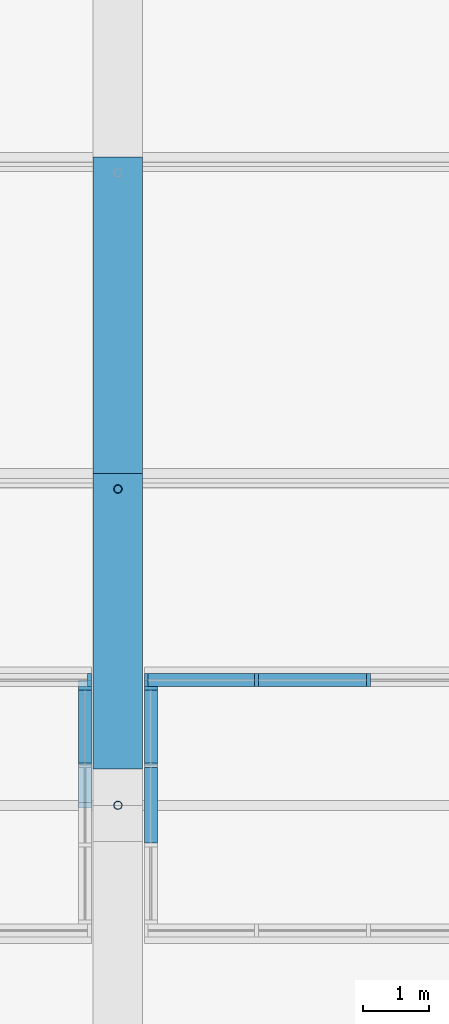
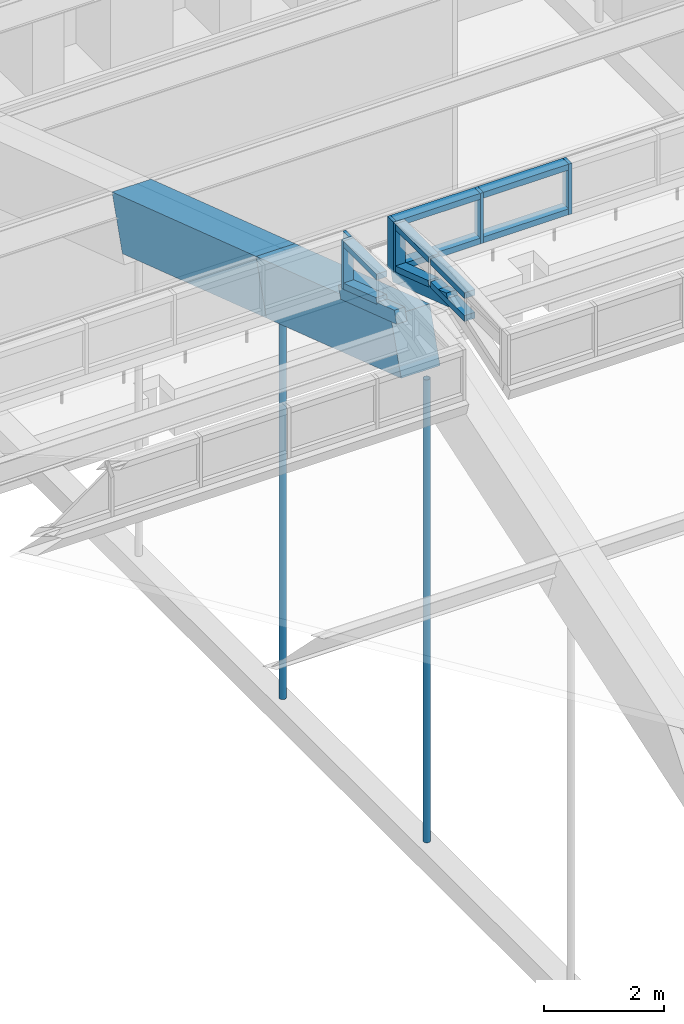
# One storey, part 73 of 149: 20 members, 2 beams, 4 elements without a shape of their own.
"""IFC4 building model written with IfcOpenShell, lengths in metres."""

from ifc_helpers import new_model, si_unit, direction, frame, origin, origin_2d, place, context, subcontext, project, spatial, rectangle, hollow_circle, extrude, material, material_profile, profile_set, type_object, element, aggregate, save


model = new_model("IFC4")

# Units and contexts
model_context = context("Model", 3, precision=1e-05, world=origin(), true_north=direction((0.0, 1.0)))
body_context = subcontext(model_context, "Body", "Model", "MODEL_VIEW")
ifc_project = project(units=[si_unit("LENGTHUNIT", "METRE"), si_unit("AREAUNIT", "SQUARE_METRE"), si_unit("VOLUMEUNIT", "CUBIC_METRE"), si_unit("PLANEANGLEUNIT", "RADIAN"), si_unit("MASSUNIT", "GRAM", prefix="KILO")], contexts=[model_context])

# Site, building, storey
site_placement = place(None, origin())
site = spatial("IfcSite", under=ifc_project, at=site_placement, CompositionType="ELEMENT")
building_placement = place(site_placement, origin())
building = spatial("IfcBuilding", under=site, at=building_placement, Name="Alderwick Market Hall", CompositionType="ELEMENT")
storey_placement = place(building_placement, frame((0.0, 0.0, 9.60009765625)))
storey = spatial("IfcBuildingStorey", under=building, at=storey_placement, Name="L01", CompositionType="ELEMENT", Elevation=9.60009765625)

# Beams
ifc_material_1 = material(Name="Concrete 5000 psi (f'c 35 MPa)", Category="concrete")
ifc_material_profile_1 = material_profile(ifc_material_1, rectangle(XDim=0.75, YDim=1.10009765625, at=origin_2d()), Name="RC 750x1100")
ifc_profile_set_1 = profile_set([ifc_material_profile_1], Name="Concrete 5000 psi (f'c 35 MPa)")
beam_type = type_object("IfcBeamType", Name="R Arch Rib Crown 750x1100", PredefinedType="BEAM", material=ifc_profile_set_1)
beam_1_placement = place(storey_placement, frame((122.39990234375, 79.573974609375, 16.2861328125), z_axis=(0.0, 0.948672979153, -0.316258721025), x_axis=(-1.0, 0.0, 0.0)))
element("IfcBeam", 1, at=beam_1_placement, inside=storey, type_object=beam_type, Name="Arch rib 6 chord 7", PredefinedType="BEAM", context=body_context, shape_type="SweptSolid", body=[
    extrude(rectangle(XDim=0.75, YDim=1.10009765625, at=origin_2d()), origin(), (0.0, 0.0, 1.0), 4.732177734375),
])
beam_2_placement = place(storey_placement, frame((122.39990234375, 84.063232421875, 14.78955078125), z_axis=(0.0, 0.948692948114, -0.316198814353), x_axis=(-1.0, 0.0, 0.0)))
element("IfcBeam", 2, at=beam_2_placement, inside=storey, type_object=beam_type, Name="Arch rib 6 chord 8", PredefinedType="BEAM", context=body_context, shape_type="SweptSolid", body=[
    extrude(rectangle(XDim=0.75, YDim=1.10009765625, at=origin_2d()), origin(), (0.0, 0.0, 1.0), 5.0595703125),
])

# Curtain wall, member
ifc_material_2 = material(Name="Aluminium", Category="aluminium")
curtain_wall_type = type_object("IfcCurtainWallType", Name="R Curtain Wall Frame", PredefinedType="NOTDEFINED", material=ifc_material_2)
curtain_wall_1_placement = place(storey_placement, origin())
curtain_wall_1 = element("IfcCurtainWall", 3, at=curtain_wall_1_placement, inside=storey, type_object=curtain_wall_type, Name="Curtain wall LCW N5", PredefinedType="NOTDEFINED")
ifc_material_profile_2 = material_profile(ifc_material_2, rectangle(XDim=0.199951171875, YDim=0.06005859375, at=origin_2d()), Name="AL 60x200")
ifc_profile_set_2 = profile_set([ifc_material_profile_2], Name="Aluminium")
member_type_1 = type_object("IfcMemberType", Name="R CW Mullion 60x200", PredefinedType="MULLION", material=ifc_profile_set_2)
member_1_placement = place(storey_placement, frame((121.969970703125, 81.10009765625, 16.670166015625), z_axis=(0.0, 0.0, 1.0), x_axis=(0.0, 1.0, 0.0)))
member_1 = element("IfcMember", 4, at=member_1_placement, type_object=member_type_1, Name="LCW N5 mullion 9", PredefinedType="MULLION", context=body_context, shape_type="SweptSolid", body=[
    extrude(rectangle(XDim=0.199951171875, YDim=0.06005859375, at=origin_2d()), origin(), (0.0, 0.0, 1.0), 1.02978515625),
])
aggregate(curtain_wall_1, [member_1])

curtain_wall_2_placement = place(storey_placement, origin())
curtain_wall_2 = element("IfcCurtainWall", 5, at=curtain_wall_2_placement, inside=storey, type_object=curtain_wall_type, Name="Curtain wall LCW E5", PredefinedType="NOTDEFINED")
member_2_placement = place(storey_placement, frame((121.89990234375, 80.969970703125, 16.713623046875), z_axis=(0.0, 0.0, 1.0), x_axis=(1.0, 0.0, 0.0)))
member_2 = element("IfcMember", 6, at=member_2_placement, type_object=member_type_1, Name="LCW E5 mullion 4", PredefinedType="MULLION", context=body_context, shape_type="SweptSolid", body=[
    extrude(rectangle(XDim=0.199951171875, YDim=0.06005859375, at=origin_2d()), origin(), (0.0, 0.0, 1.0), 0.986328125),
])

# Curtain wall, members
curtain_wall_3_placement = place(storey_placement, origin())
curtain_wall_3 = element("IfcCurtainWall", 7, at=curtain_wall_3_placement, inside=storey, type_object=curtain_wall_type, Name="Curtain wall LCW N6", PredefinedType="NOTDEFINED")
member_3_placement = place(storey_placement, frame((122.830078125, 81.10009765625, 16.670166015625), z_axis=(0.0, 0.0, 1.0), x_axis=(0.0, 1.0, 0.0)))
member_3 = element("IfcMember", 8, at=member_3_placement, type_object=member_type_1, Name="LCW N6 mullion 1", PredefinedType="MULLION", context=body_context, shape_type="SweptSolid", body=[
    extrude(rectangle(XDim=0.199951171875, YDim=0.06005859375, at=origin_2d()), origin(), (0.0, 0.0, 1.0), 1.02978515625),
])
member_4_placement = place(storey_placement, frame((124.5, 81.10009765625, 16.670166015625), z_axis=(0.0, 0.0, 1.0), x_axis=(0.0, 1.0, 0.0)))
member_4 = element("IfcMember", 9, at=member_4_placement, type_object=member_type_1, Name="LCW N6 mullion 2", PredefinedType="MULLION", context=body_context, shape_type="SweptSolid", body=[
    extrude(rectangle(XDim=0.199951171875, YDim=0.06005859375, at=origin_2d()), origin(), (0.0, 0.0, 1.0), 1.02978515625),
])
member_5_placement = place(storey_placement, frame((126.199951171875, 81.10009765625, 16.670166015625), z_axis=(0.0, 0.0, 1.0), x_axis=(0.0, 1.0, 0.0)))
member_5 = element("IfcMember", 10, at=member_5_placement, type_object=member_type_1, Name="LCW N6 mullion 3", PredefinedType="MULLION", context=body_context, shape_type="SweptSolid", body=[
    extrude(rectangle(XDim=0.199951171875, YDim=0.06005859375, at=origin_2d()), origin(), (0.0, 0.0, 1.0), 1.02978515625),
])

# Curtain wall, member
curtain_wall_4_placement = place(storey_placement, origin())
curtain_wall_4 = element("IfcCurtainWall", 11, at=curtain_wall_4_placement, inside=storey, type_object=curtain_wall_type, Name="Curtain wall LCW W6", PredefinedType="NOTDEFINED")
member_6_placement = place(storey_placement, frame((122.89990234375, 80.969970703125, 16.713623046875), z_axis=(0.0, 0.0, 1.0), x_axis=(1.0, 0.0, 0.0)))
member_6 = element("IfcMember", 12, at=member_6_placement, type_object=member_type_1, Name="LCW W6 mullion 4", PredefinedType="MULLION", context=body_context, shape_type="SweptSolid", body=[
    extrude(rectangle(XDim=0.199951171875, YDim=0.06005859375, at=origin_2d()), origin(), (0.0, 0.0, 1.0), 0.986328125),
])

# Member
ifc_material_profile_3 = material_profile(ifc_material_2, rectangle(XDim=0.199951171875, YDim=0.1201171875, at=origin_2d()), Name="AL 120x200")
ifc_profile_set_3 = profile_set([ifc_material_profile_3], Name="Aluminium")
member_type_2 = type_object("IfcMemberType", Name="R CW Transom 120x200", PredefinedType="USERDEFINED", material=ifc_profile_set_3)
member_7_placement = place(storey_placement, frame((121.89990234375, 79.830078125, 17.153564453125), z_axis=(0.0, 0.948641554568, -0.316352968923), x_axis=(-1.0, 0.0, 0.0)))
member_7 = element("IfcMember", 13, at=member_7_placement, type_object=member_type_2, Name="LCW E5 sill transom 3", ObjectType="TRANSOM", PredefinedType="USERDEFINED", context=body_context, shape_type="SweptSolid", body=[
    extrude(rectangle(XDim=0.199951171875, YDim=0.1201171875, at=origin_2d()), origin(), (0.0, 0.0, 1.0), 1.169921875),
])

member_8_placement = place(storey_placement, frame((121.89990234375, 79.830078125, 17.639892578125), z_axis=(0.0, 1.0, 0.0), x_axis=(-1.0, 0.0, 0.0)))
member_8 = element("IfcMember", 14, at=member_8_placement, type_object=member_type_2, Name="LCW E5 head transom 3", ObjectType="TRANSOM", PredefinedType="USERDEFINED", context=body_context, shape_type="SweptSolid", body=[
    extrude(rectangle(XDim=0.199951171875, YDim=0.1201171875, at=origin_2d()), origin(), (0.0, 0.0, 1.0), 1.10986328125),
])

member_9_placement = place(storey_placement, frame((122.860107421875, 81.10009765625, 16.730224609375), z_axis=(1.0, 0.0, 0.0), x_axis=(0.0, 1.0, 0.0)))
member_9 = element("IfcMember", 15, at=member_9_placement, type_object=member_type_2, Name="LCW N6 sill transom 1", ObjectType="TRANSOM", PredefinedType="USERDEFINED", context=body_context, shape_type="SweptSolid", body=[
    extrude(rectangle(XDim=0.199951171875, YDim=0.1201171875, at=origin_2d()), origin(), (0.0, 0.0, 1.0), 1.60986328125),
])

member_10_placement = place(storey_placement, frame((122.860107421875, 81.10009765625, 17.639892578125), z_axis=(1.0, 0.0, 0.0), x_axis=(0.0, 1.0, 0.0)))
member_10 = element("IfcMember", 16, at=member_10_placement, type_object=member_type_2, Name="LCW N6 head transom 1", ObjectType="TRANSOM", PredefinedType="USERDEFINED", context=body_context, shape_type="SweptSolid", body=[
    extrude(rectangle(XDim=0.199951171875, YDim=0.1201171875, at=origin_2d()), origin(), (0.0, 0.0, 1.0), 1.60986328125),
])

member_11_placement = place(storey_placement, frame((124.530029296875, 81.10009765625, 16.730224609375), z_axis=(1.0, 0.0, 0.0), x_axis=(0.0, 1.0, 0.0)))
member_11 = element("IfcMember", 17, at=member_11_placement, type_object=member_type_2, Name="LCW N6 sill transom 2", ObjectType="TRANSOM", PredefinedType="USERDEFINED", context=body_context, shape_type="SweptSolid", body=[
    extrude(rectangle(XDim=0.199951171875, YDim=0.1201171875, at=origin_2d()), origin(), (0.0, 0.0, 1.0), 1.639892578125),
])

member_12_placement = place(storey_placement, frame((124.530029296875, 81.10009765625, 17.639892578125), z_axis=(1.0, 0.0, 0.0), x_axis=(0.0, 1.0, 0.0)))
member_12 = element("IfcMember", 18, at=member_12_placement, type_object=member_type_2, Name="LCW N6 head transom 2", ObjectType="TRANSOM", PredefinedType="USERDEFINED", context=body_context, shape_type="SweptSolid", body=[
    extrude(rectangle(XDim=0.199951171875, YDim=0.1201171875, at=origin_2d()), origin(), (0.0, 0.0, 1.0), 1.639892578125),
])

aggregate(curtain_wall_3, [member_3, member_4, member_5, member_9, member_10, member_11, member_12])

member_13_placement = place(storey_placement, frame((122.89990234375, 78.6298828125, 17.173583984375), z_axis=(0.0, 1.0, 0.0), x_axis=(-1.0, 0.0, 0.0)))
member_13 = element("IfcMember", 19, at=member_13_placement, type_object=member_type_2, Name="LCW W6 sill transom 2", ObjectType="TRANSOM", PredefinedType="USERDEFINED", context=body_context, shape_type="SweptSolid", body=[
    extrude(rectangle(XDim=0.199951171875, YDim=0.1201171875, at=origin_2d()), origin(), (0.0, 0.0, 1.0), 1.14013671875),
])

member_14_placement = place(storey_placement, frame((122.89990234375, 78.6298828125, 17.639892578125), z_axis=(0.0, 1.0, 0.0), x_axis=(-1.0, 0.0, 0.0)))
member_14 = element("IfcMember", 20, at=member_14_placement, type_object=member_type_2, Name="LCW W6 head transom 2", ObjectType="TRANSOM", PredefinedType="USERDEFINED", context=body_context, shape_type="SweptSolid", body=[
    extrude(rectangle(XDim=0.199951171875, YDim=0.1201171875, at=origin_2d()), origin(), (0.0, 0.0, 1.0), 1.14013671875),
])

member_15_placement = place(storey_placement, frame((122.89990234375, 79.830078125, 17.153564453125), z_axis=(0.0, 0.948641554568, -0.316352968923), x_axis=(-1.0, 0.0, 0.0)))
member_15 = element("IfcMember", 21, at=member_15_placement, type_object=member_type_2, Name="LCW W6 sill transom 3", ObjectType="TRANSOM", PredefinedType="USERDEFINED", context=body_context, shape_type="SweptSolid", body=[
    extrude(rectangle(XDim=0.199951171875, YDim=0.1201171875, at=origin_2d()), origin(), (0.0, 0.0, 1.0), 1.169921875),
])

member_16_placement = place(storey_placement, frame((122.89990234375, 79.830078125, 17.639892578125), z_axis=(0.0, 1.0, 0.0), x_axis=(-1.0, 0.0, 0.0)))
member_16 = element("IfcMember", 22, at=member_16_placement, type_object=member_type_2, Name="LCW W6 head transom 3", ObjectType="TRANSOM", PredefinedType="USERDEFINED", context=body_context, shape_type="SweptSolid", body=[
    extrude(rectangle(XDim=0.199951171875, YDim=0.1201171875, at=origin_2d()), origin(), (0.0, 0.0, 1.0), 1.10986328125),
])

# Members
ifc_material_3 = material(Name="Steel ASTM A500 Grade C", Category="steel")
ifc_material_profile_4 = material_profile(ifc_material_3, hollow_circle(Radius=0.0634765625, WallThickness=0.005859375, at=origin_2d()), Name="HSS5.000x0.250")
ifc_profile_set_4 = profile_set([ifc_material_profile_4], Name="Steel ASTM A500 Grade C")
member_type_3 = type_object("IfcMemberType", Name="R Hanger HSS5.000x0.250", PredefinedType="POST", material=ifc_profile_set_4)
member_17_placement = place(storey_placement, frame((122.39990234375, 79.199951171875, 6.35302734375), z_axis=(0.0, 0.0, 1.0), x_axis=(1.0, 0.0, 0.0)))
element("IfcMember", 23, at=member_17_placement, inside=storey, type_object=member_type_3, Name="Arch hanger 6.6", PredefinedType="POST", context=body_context, shape_type="SweptSolid", body=[
    extrude(hollow_circle(Radius=0.0634765625, WallThickness=0.005859375, at=origin_2d()), origin(), (0.0, 0.0, 1.0), 9.411376953125),
])
member_18_placement = place(storey_placement, frame((122.39990234375, 84.0, 6.35302734375), z_axis=(0.0, 0.0, 1.0), x_axis=(1.0, 0.0, 0.0)))
element("IfcMember", 24, at=member_18_placement, inside=storey, type_object=member_type_3, Name="Arch hanger 6.7", PredefinedType="POST", context=body_context, shape_type="SweptSolid", body=[
    extrude(hollow_circle(Radius=0.0634765625, WallThickness=0.005859375, at=origin_2d()), origin(), (0.0, 0.0, 1.0), 7.856689453125),
])

# Member
ifc_material_4 = material(Name="Steel ASTM A572 Grade 50", Category="steel")
ifc_material_profile_5 = material_profile(ifc_material_4, rectangle(XDim=0.199951171875, YDim=0.25, at=origin_2d()), Name="Steel plate curb 200x250")
ifc_profile_set_5 = profile_set([ifc_material_profile_5], Name="Steel ASTM A572 Grade 50")
member_type_4 = type_object("IfcMemberType", Name="R Lantern Curb 200x250", PredefinedType="MEMBER", material=ifc_profile_set_5)
member_19_placement = place(storey_placement, frame((121.89990234375, 79.199951171875, 17.20654296875), z_axis=(0.0, 0.948695716428, -0.316190508447), x_axis=(-1.0, 0.0, 0.0)))
member_19 = element("IfcMember", 25, at=member_19_placement, type_object=member_type_4, Name="Lantern end curb E5.2", PredefinedType="MEMBER", context=body_context, shape_type="SweptSolid", body=[
    extrude(rectangle(XDim=0.199951171875, YDim=0.25, at=origin_2d()), origin(), (0.0, 0.0, 1.0), 1.9658203125),
])

aggregate(curtain_wall_2, [member_2, member_7, member_8, member_19])

member_20_placement = place(storey_placement, frame((122.89990234375, 79.199951171875, 17.20654296875), z_axis=(0.0, 0.948695716428, -0.316190508447), x_axis=(-1.0, 0.0, 0.0)))
member_20 = element("IfcMember", 26, at=member_20_placement, type_object=member_type_4, Name="Lantern end curb W6.2", PredefinedType="MEMBER", context=body_context, shape_type="SweptSolid", body=[
    extrude(rectangle(XDim=0.199951171875, YDim=0.25, at=origin_2d()), origin(), (0.0, 0.0, 1.0), 1.9658203125),
])

aggregate(curtain_wall_4, [member_6, member_13, member_14, member_15, member_16, member_20])

save(model, "model.ifc")
